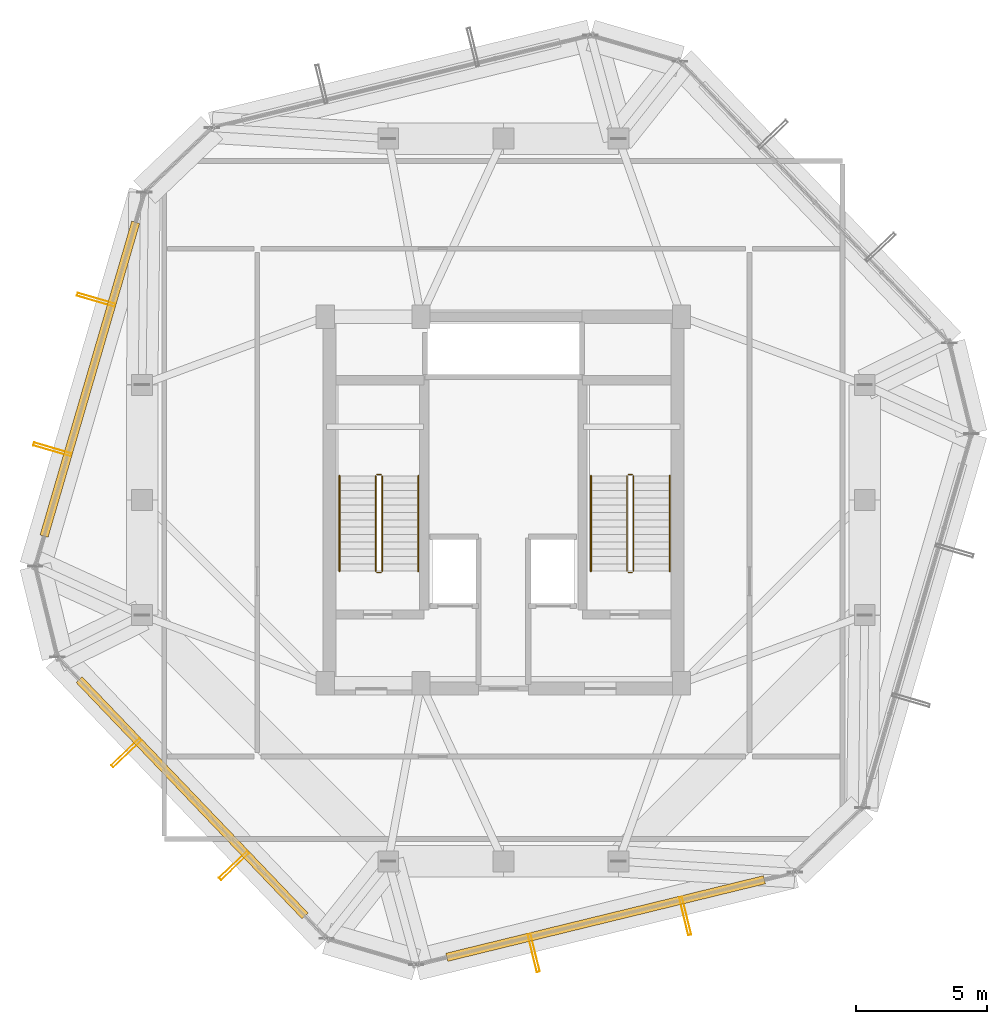
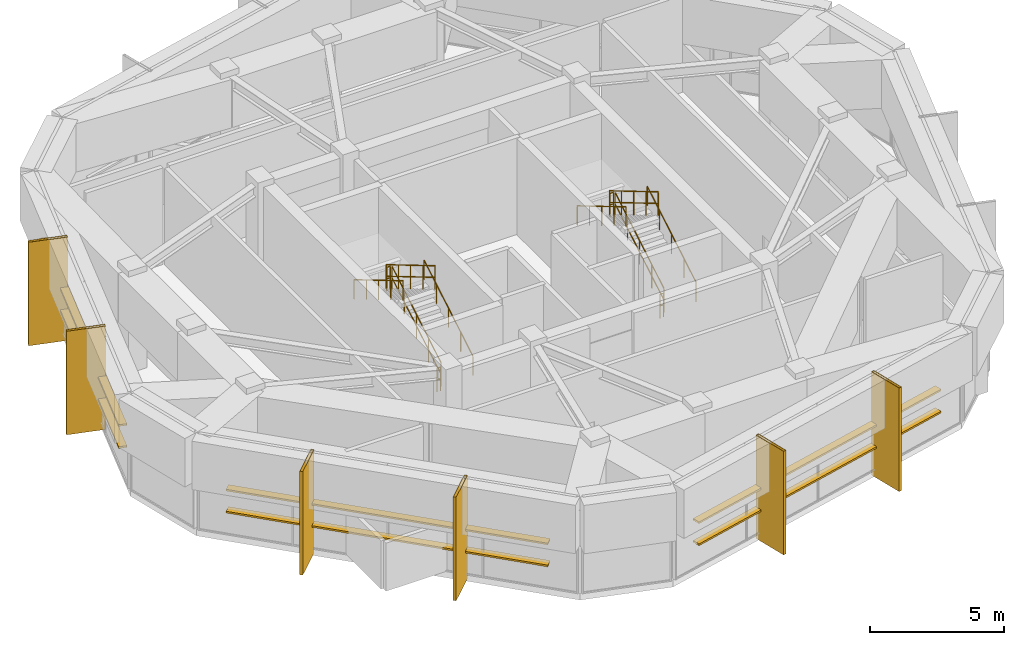
# One storey, part 38 of 39: 12 railings, 12 shading devices.
"""IFC4 building model written with IfcOpenShell, lengths in metres."""

from ifc_helpers import new_model, si_unit, direction, frame, origin, origin_2d, place, context, subcontext, project, spatial, hollow_rectangle, circle, extrude, material, material_profile, profile_set, type_object, element, save


model = new_model("IFC4")

# Units and contexts
model_context = context("Model", 3, precision=1e-05, world=origin(), true_north=direction((0.0, 1.0)))
body_context = subcontext(model_context, "Body", "Model", "MODEL_VIEW")
ifc_project = project(units=[si_unit("LENGTHUNIT", "METRE"), si_unit("AREAUNIT", "SQUARE_METRE"), si_unit("VOLUMEUNIT", "CUBIC_METRE"), si_unit("PLANEANGLEUNIT", "RADIAN"), si_unit("MASSUNIT", "GRAM", prefix="KILO")], contexts=[model_context])

# Site, building, storey
site_placement = place(None, origin())
site = spatial("IfcSite", under=ifc_project, at=site_placement, CompositionType="ELEMENT")
building_placement = place(site_placement, origin())
building = spatial("IfcBuilding", under=site, at=building_placement, Name="Veraguas Prism Commons", CompositionType="ELEMENT")
storey_placement = place(building_placement, frame((0.0, 0.0, 264.25)))
storey = spatial("IfcBuildingStorey", under=building, at=storey_placement, Name="L75", CompositionType="ELEMENT", Elevation=264.25)

# Shading devices
ifc_material_1 = material(Name="Anodised aluminium EN AW-6063 T6", Category="aluminium")
ifc_material_profile_1 = material_profile(ifc_material_1, hollow_rectangle(XDim=0.1201171875, YDim=1.489990234375, WallThickness=0.006103515625, at=origin_2d()), Name="FIN120X1490X6")
ifc_profile_set_1 = profile_set([ifc_material_profile_1], Name="Anodised aluminium EN AW-6063 T6")
shading_device_type_1 = type_object("IfcShadingDeviceType", Name="Deep Pale-Metal Vertical Solar Fin 120x1490", PredefinedType="USERDEFINED", material=ifc_profile_set_1)
for number, where, z_axis, x_axis, name in (
    (1, (8.43994140625, 31.64599609375, -0.300048828125), (0.0, 0.0, 1.0), (-0.280336682616, -0.959901736836, 0.0), "Vertical Pale-Metal Solar Fin L75-F3A"),
    (2, (6.770751953125, 25.93017578125, -0.300048828125), (0.0, 0.0, 1.0), (-0.280336682616, -0.959901736836, 0.0), "Vertical Pale-Metal Solar Fin L75-F3B"),
    (3, (9.598388671875, 14.347412109375, -0.300048828125), (0.0, 0.0, 1.0), (0.691133470727, -0.722727144669, 0.0), "Vertical Pale-Metal Solar Fin L75-F4A"),
    (4, (13.7138671875, 10.0439453125, -0.300048828125), (0.0, 0.0, 1.0), (0.691133470727, -0.722727144669, 0.0), "Vertical Pale-Metal Solar Fin L75-F4B"),
    (5, (25.158447265625, 6.70166015625, -0.300048828125), (0.0, 0.0, 1.0), (0.9714663887, 0.23717726625, 0.0), "Vertical Pale-Metal Solar Fin L75-F5A"),
    (6, (30.943115234375, 8.114013671875, -0.300048828125), (0.0, 0.0, 1.0), (0.9714663887, 0.23717726625, 0.0), "Vertical Pale-Metal Solar Fin L75-F5B"),
):
    element("IfcShadingDevice", number, at=place(storey_placement, frame(where, z_axis=z_axis, x_axis=x_axis)), inside=storey, type_object=shading_device_type_1, Name=name, ObjectType="FIN", PredefinedType="USERDEFINED", context=body_context, shape_type="SweptSolid", body=[
        extrude(hollow_rectangle(XDim=0.1201171875, YDim=1.489990234375, WallThickness=0.006103515625, at=origin_2d()), origin(), (0.0, 0.0, 1.0), 4.7099609375),
    ])
ifc_material_profile_2 = material_profile(ifc_material_1, hollow_rectangle(XDim=0.080078125, YDim=0.320068359375, WallThickness=0.00390625, at=origin_2d()), Name="LVR80X320X4")
ifc_profile_set_2 = profile_set([ifc_material_profile_2], Name="Anodised aluminium EN AW-6063 T6")
shading_device_type_2 = type_object("IfcShadingDeviceType", Name="Plant Room Acoustic Weather Louvre 80x320", PredefinedType="JALOUSIE", material=ifc_profile_set_2)
for number, where, z_axis, x_axis, name in (
    (7, (9.95556640625, 34.605712890625, 1.10009765625), (-0.280340849293, -0.959900519959, 0.0), (0.0, 0.0, 1.0), "Plant Acoustic Weather Louvre L75-F3A"),
    (8, (9.95556640625, 34.605712890625, 2.10009765625), (-0.280340849293, -0.959900519959, 0.0), (0.0, 0.0, 1.0), "Plant Acoustic Weather Louvre L75-F3B"),
):
    element("IfcShadingDevice", number, at=place(storey_placement, frame(where, z_axis=z_axis, x_axis=x_axis)), inside=storey, type_object=shading_device_type_2, Name=name, PredefinedType="JALOUSIE", context=body_context, shape_type="SweptSolid", body=[
        extrude(hollow_rectangle(XDim=0.080078125, YDim=0.320068359375, WallThickness=0.00390625, at=origin_2d()), origin(), (0.0, 0.0, 1.0), 12.486572265625),
    ])
for number, where, z_axis, x_axis, name in (
    (9, (7.793212890625, 17.139892578125, 1.10009765625), (0.691121865751, -0.72273824216, 0.0), (0.0, 0.0, 1.0), "Plant Acoustic Weather Louvre L75-F4A"),
    (10, (7.793212890625, 17.139892578125, 2.10009765625), (0.691121865751, -0.72273824216, 0.0), (0.0, 0.0, 1.0), "Plant Acoustic Weather Louvre L75-F4B"),
    (11, (21.837646484375, 6.5341796875, 1.10009765625), (0.971462013232, 0.237195187234, 0.0), (0.0, 0.0, 1.0), "Plant Acoustic Weather Louvre L75-F5A"),
    (12, (21.837646484375, 6.5341796875, 2.10009765625), (0.971462013232, 0.237195187234, 0.0), (0.0, 0.0, 1.0), "Plant Acoustic Weather Louvre L75-F5B"),
):
    element("IfcShadingDevice", number, at=place(storey_placement, frame(where, z_axis=z_axis, x_axis=x_axis)), inside=storey, type_object=shading_device_type_2, Name=name, PredefinedType="JALOUSIE", context=body_context, shape_type="SweptSolid", body=[
        extrude(hollow_rectangle(XDim=0.080078125, YDim=0.320068359375, WallThickness=0.00390625, at=origin_2d()), origin(), (0.0, 0.0, 1.0), 12.486328125),
    ])

# Railings
ifc_material_2 = material(Name="Stainless steel AISI 316", Category="steel")
railing_type_1 = type_object("IfcRailingType", Name="Stair and Ramp Stainless Handrail 900", PredefinedType="HANDRAIL", material=ifc_material_2)
railing_1_placement = place(storey_placement, frame((20.75, 21.280029296875, 0.166015625)))
element("IfcRailing", 13, at=railing_1_placement, inside=storey, type_object=railing_type_1, Name="Stair Handrail ST-01 L75-1", PredefinedType="HANDRAIL", context=body_context, shape_type="SweptSolid", body=[
    extrude(circle(Radius=0.02392578125, at=origin_2d()), frame((0.0, 0.0, 0.8759765625), z_axis=(0.0, 0.860088118128, 0.510145497928), x_axis=(-1.0, 0.0, 0.0)), (0.0, 0.0, 1.0), 4.23193359375),
    extrude(circle(Radius=0.02099609375, at=origin_2d()), origin(), (0.0, 0.0, 1.0), 0.851806640625),
    extrude(circle(Radius=0.02099609375, at=origin_2d()), frame((0.0, 0.909912109375, 0.539794921875)), (0.0, 0.0, 1.0), 0.851806640625),
    extrude(circle(Radius=0.02099609375, at=origin_2d()), frame((0.0, 1.81982421875, 1.07958984375)), (0.0, 0.0, 1.0), 0.851806640625),
    extrude(circle(Radius=0.02099609375, at=origin_2d()), frame((0.0, 2.72998046875, 1.619140625)), (0.0, 0.0, 1.0), 0.851806640625),
    extrude(circle(Radius=0.02099609375, at=origin_2d()), frame((0.0, 3.639892578125, 2.158935546875)), (0.0, 0.0, 1.0), 0.851806640625),
])
railing_2_placement = place(storey_placement, frame((17.739990234375, 24.919921875, 2.490966796875)))
element("IfcRailing", 14, at=railing_2_placement, inside=storey, type_object=railing_type_1, Name="Stair Handrail ST-01 L75-2", PredefinedType="HANDRAIL", context=body_context, shape_type="SweptSolid", body=[
    extrude(circle(Radius=0.02392578125, at=origin_2d()), frame((0.0, 0.0, 0.8759765625), z_axis=(0.0, -0.860088118128, 0.510145497928), x_axis=(1.0, 0.0, 0.0)), (0.0, 0.0, 1.0), 4.23193359375),
    extrude(circle(Radius=0.02099609375, at=origin_2d()), origin(), (0.0, 0.0, 1.0), 0.851806640625),
    extrude(circle(Radius=0.02099609375, at=origin_2d()), frame((0.0, -0.909912109375, 0.539794921875)), (0.0, 0.0, 1.0), 0.851806640625),
    extrude(circle(Radius=0.02099609375, at=origin_2d()), frame((0.0, -1.81982421875, 1.07958984375)), (0.0, 0.0, 1.0), 0.851806640625),
    extrude(circle(Radius=0.02099609375, at=origin_2d()), frame((0.0, -2.72998046875, 1.619140625)), (0.0, 0.0, 1.0), 0.851806640625),
    extrude(circle(Radius=0.02099609375, at=origin_2d()), frame((0.0, -3.639892578125, 2.158935546875)), (0.0, 0.0, 1.0), 0.851806640625),
])
railing_3_placement = place(storey_placement, frame((30.35009765625, 21.280029296875, 0.166015625)))
element("IfcRailing", 15, at=railing_3_placement, inside=storey, type_object=railing_type_1, Name="Stair Handrail ST-02 L75-1", PredefinedType="HANDRAIL", context=body_context, shape_type="SweptSolid", body=[
    extrude(circle(Radius=0.02392578125, at=origin_2d()), frame((0.0, 0.0, 0.8759765625), z_axis=(0.0, 0.860088118128, 0.510145497928), x_axis=(-1.0, 0.0, 0.0)), (0.0, 0.0, 1.0), 4.23193359375),
    extrude(circle(Radius=0.02099609375, at=origin_2d()), origin(), (0.0, 0.0, 1.0), 0.851806640625),
    extrude(circle(Radius=0.02099609375, at=origin_2d()), frame((0.0, 0.909912109375, 0.539794921875)), (0.0, 0.0, 1.0), 0.851806640625),
    extrude(circle(Radius=0.02099609375, at=origin_2d()), frame((0.0, 1.81982421875, 1.07958984375)), (0.0, 0.0, 1.0), 0.851806640625),
    extrude(circle(Radius=0.02099609375, at=origin_2d()), frame((0.0, 2.72998046875, 1.619140625)), (0.0, 0.0, 1.0), 0.851806640625),
    extrude(circle(Radius=0.02099609375, at=origin_2d()), frame((0.0, 3.639892578125, 2.158935546875)), (0.0, 0.0, 1.0), 0.851806640625),
])
railing_4_placement = place(storey_placement, frame((27.340087890625, 24.919921875, 2.490966796875)))
element("IfcRailing", 16, at=railing_4_placement, inside=storey, type_object=railing_type_1, Name="Stair Handrail ST-02 L75-2", PredefinedType="HANDRAIL", context=body_context, shape_type="SweptSolid", body=[
    extrude(circle(Radius=0.02392578125, at=origin_2d()), frame((0.0, 0.0, 0.8759765625), z_axis=(0.0, -0.860088118128, 0.510145497928), x_axis=(1.0, 0.0, 0.0)), (0.0, 0.0, 1.0), 4.23193359375),
    extrude(circle(Radius=0.02099609375, at=origin_2d()), origin(), (0.0, 0.0, 1.0), 0.851806640625),
    extrude(circle(Radius=0.02099609375, at=origin_2d()), frame((0.0, -0.909912109375, 0.539794921875)), (0.0, 0.0, 1.0), 0.851806640625),
    extrude(circle(Radius=0.02099609375, at=origin_2d()), frame((0.0, -1.81982421875, 1.07958984375)), (0.0, 0.0, 1.0), 0.851806640625),
    extrude(circle(Radius=0.02099609375, at=origin_2d()), frame((0.0, -2.72998046875, 1.619140625)), (0.0, 0.0, 1.0), 0.851806640625),
    extrude(circle(Radius=0.02099609375, at=origin_2d()), frame((0.0, -3.639892578125, 2.158935546875)), (0.0, 0.0, 1.0), 0.851806640625),
])
railing_type_2 = type_object("IfcRailingType", Name="Stairwell Safety Guardrail 1100", PredefinedType="GUARDRAIL", material=ifc_material_2)
railing_5_placement = place(storey_placement, frame((19.3701171875, 21.280029296875, 0.166015625)))
element("IfcRailing", 17, at=railing_5_placement, inside=storey, type_object=railing_type_2, Name="Stair Guard ST-01 L75-1", PredefinedType="GUARDRAIL", context=body_context, shape_type="SweptSolid", body=[
    extrude(circle(Radius=0.02392578125, at=origin_2d()), frame((0.0, 0.0, 1.076171875), z_axis=(0.0, 0.860088118128, 0.510145497928), x_axis=(-1.0, 0.0, 0.0)), (0.0, 0.0, 1.0), 4.23193359375),
    extrude(circle(Radius=0.02392578125, at=origin_2d()), frame((0.0, 0.0, 0.550048828125), z_axis=(0.0, 0.860088118128, 0.510145497928), x_axis=(-1.0, 0.0, 0.0)), (0.0, 0.0, 1.0), 4.23193359375),
    extrude(circle(Radius=0.02099609375, at=origin_2d()), origin(), (0.0, 0.0, 1.0), 1.052001953125),
    extrude(circle(Radius=0.02099609375, at=origin_2d()), frame((0.0, 0.909912109375, 0.539794921875)), (0.0, 0.0, 1.0), 1.052001953125),
    extrude(circle(Radius=0.02099609375, at=origin_2d()), frame((0.0, 1.81982421875, 1.07958984375)), (0.0, 0.0, 1.0), 1.052001953125),
    extrude(circle(Radius=0.02099609375, at=origin_2d()), frame((0.0, 2.72998046875, 1.619140625)), (0.0, 0.0, 1.0), 1.052001953125),
    extrude(circle(Radius=0.02099609375, at=origin_2d()), frame((0.0, 3.639892578125, 2.158935546875)), (0.0, 0.0, 1.0), 1.052001953125),
])
railing_6_placement = place(storey_placement, frame((19.320068359375, 24.969970703125, 2.324951171875)))
element("IfcRailing", 18, at=railing_6_placement, inside=storey, type_object=railing_type_2, Name="Stair Guard ST-01 L75-2", PredefinedType="GUARDRAIL", context=body_context, shape_type="SweptSolid", body=[
    extrude(circle(Radius=0.02392578125, at=origin_2d()), frame((0.0, 0.0, 1.076171875), z_axis=(-1.0, 0.0, 0.0), x_axis=(0.0, -1.0, 0.0)), (0.0, 0.0, 1.0), 0.150146484375),
    extrude(circle(Radius=0.02392578125, at=origin_2d()), frame((0.0, 0.0, 0.550048828125), z_axis=(-1.0, 0.0, 0.0), x_axis=(0.0, -1.0, 0.0)), (0.0, 0.0, 1.0), 0.150146484375),
    extrude(circle(Radius=0.02099609375, at=origin_2d()), origin(), (0.0, 0.0, 1.0), 1.052001953125),
    extrude(circle(Radius=0.02099609375, at=origin_2d()), frame((-0.150146484375, 0.0, 0.0)), (0.0, 0.0, 1.0), 1.052001953125),
])
railing_7_placement = place(storey_placement, frame((19.1201171875, 24.919921875, 2.490966796875)))
element("IfcRailing", 19, at=railing_7_placement, inside=storey, type_object=railing_type_2, Name="Stair Guard ST-01 L75-3", PredefinedType="GUARDRAIL", context=body_context, shape_type="SweptSolid", body=[
    extrude(circle(Radius=0.02392578125, at=origin_2d()), frame((0.0, 0.0, 1.076171875), z_axis=(0.0, -0.860088118128, 0.510145497928), x_axis=(1.0, 0.0, 0.0)), (0.0, 0.0, 1.0), 4.23193359375),
    extrude(circle(Radius=0.02392578125, at=origin_2d()), frame((0.0, 0.0, 0.550048828125), z_axis=(0.0, -0.860088118128, 0.510145497928), x_axis=(1.0, 0.0, 0.0)), (0.0, 0.0, 1.0), 4.23193359375),
    extrude(circle(Radius=0.02099609375, at=origin_2d()), origin(), (0.0, 0.0, 1.0), 1.052001953125),
    extrude(circle(Radius=0.02099609375, at=origin_2d()), frame((0.0, -0.909912109375, 0.539794921875)), (0.0, 0.0, 1.0), 1.052001953125),
    extrude(circle(Radius=0.02099609375, at=origin_2d()), frame((0.0, -1.81982421875, 1.07958984375)), (0.0, 0.0, 1.0), 1.052001953125),
    extrude(circle(Radius=0.02099609375, at=origin_2d()), frame((0.0, -2.72998046875, 1.619140625)), (0.0, 0.0, 1.0), 1.052001953125),
    extrude(circle(Radius=0.02099609375, at=origin_2d()), frame((0.0, -3.639892578125, 2.158935546875)), (0.0, 0.0, 1.0), 1.052001953125),
])
railing_8_placement = place(storey_placement, frame((19.320068359375, 21.22998046875, 0.0)))
element("IfcRailing", 20, at=railing_8_placement, inside=storey, type_object=railing_type_2, Name="Stair Guard ST-01 L75-4", PredefinedType="GUARDRAIL", context=body_context, shape_type="SweptSolid", body=[
    extrude(circle(Radius=0.02392578125, at=origin_2d()), frame((0.0, 0.0, 1.076171875), z_axis=(-1.0, 0.0, 0.0), x_axis=(0.0, -1.0, 0.0)), (0.0, 0.0, 1.0), 0.150146484375),
    extrude(circle(Radius=0.02392578125, at=origin_2d()), frame((0.0, 0.0, 0.550048828125), z_axis=(-1.0, 0.0, 0.0), x_axis=(0.0, -1.0, 0.0)), (0.0, 0.0, 1.0), 0.150146484375),
    extrude(circle(Radius=0.02099609375, at=origin_2d()), origin(), (0.0, 0.0, 1.0), 1.052001953125),
    extrude(circle(Radius=0.02099609375, at=origin_2d()), frame((-0.150146484375, 0.0, 0.0)), (0.0, 0.0, 1.0), 1.052001953125),
])
railing_9_placement = place(storey_placement, frame((28.969970703125, 21.280029296875, 0.166015625)))
element("IfcRailing", 21, at=railing_9_placement, inside=storey, type_object=railing_type_2, Name="Stair Guard ST-02 L75-1", PredefinedType="GUARDRAIL", context=body_context, shape_type="SweptSolid", body=[
    extrude(circle(Radius=0.02392578125, at=origin_2d()), frame((0.0, 0.0, 1.076171875), z_axis=(0.0, 0.860088118128, 0.510145497928), x_axis=(-1.0, 0.0, 0.0)), (0.0, 0.0, 1.0), 4.23193359375),
    extrude(circle(Radius=0.02392578125, at=origin_2d()), frame((0.0, 0.0, 0.550048828125), z_axis=(0.0, 0.860088118128, 0.510145497928), x_axis=(-1.0, 0.0, 0.0)), (0.0, 0.0, 1.0), 4.23193359375),
    extrude(circle(Radius=0.02099609375, at=origin_2d()), origin(), (0.0, 0.0, 1.0), 1.052001953125),
    extrude(circle(Radius=0.02099609375, at=origin_2d()), frame((0.0, 0.909912109375, 0.539794921875)), (0.0, 0.0, 1.0), 1.052001953125),
    extrude(circle(Radius=0.02099609375, at=origin_2d()), frame((0.0, 1.81982421875, 1.07958984375)), (0.0, 0.0, 1.0), 1.052001953125),
    extrude(circle(Radius=0.02099609375, at=origin_2d()), frame((0.0, 2.72998046875, 1.619140625)), (0.0, 0.0, 1.0), 1.052001953125),
    extrude(circle(Radius=0.02099609375, at=origin_2d()), frame((0.0, 3.639892578125, 2.158935546875)), (0.0, 0.0, 1.0), 1.052001953125),
])
railing_10_placement = place(storey_placement, frame((28.919921875, 24.969970703125, 2.324951171875)))
element("IfcRailing", 22, at=railing_10_placement, inside=storey, type_object=railing_type_2, Name="Stair Guard ST-02 L75-2", PredefinedType="GUARDRAIL", context=body_context, shape_type="SweptSolid", body=[
    extrude(circle(Radius=0.02392578125, at=origin_2d()), frame((0.0, 0.0, 1.076171875), z_axis=(-1.0, 0.0, 0.0), x_axis=(0.0, -1.0, 0.0)), (0.0, 0.0, 1.0), 0.14990234375),
    extrude(circle(Radius=0.02392578125, at=origin_2d()), frame((0.0, 0.0, 0.550048828125), z_axis=(-1.0, 0.0, 0.0), x_axis=(0.0, -1.0, 0.0)), (0.0, 0.0, 1.0), 0.14990234375),
    extrude(circle(Radius=0.02099609375, at=origin_2d()), origin(), (0.0, 0.0, 1.0), 1.052001953125),
    extrude(circle(Radius=0.02099609375, at=origin_2d()), frame((-0.14990234375, 0.0, 0.0)), (0.0, 0.0, 1.0), 1.052001953125),
])
railing_11_placement = place(storey_placement, frame((28.719970703125, 24.919921875, 2.490966796875)))
element("IfcRailing", 23, at=railing_11_placement, inside=storey, type_object=railing_type_2, Name="Stair Guard ST-02 L75-3", PredefinedType="GUARDRAIL", context=body_context, shape_type="SweptSolid", body=[
    extrude(circle(Radius=0.02392578125, at=origin_2d()), frame((0.0, 0.0, 1.076171875), z_axis=(0.0, -0.860088118128, 0.510145497928), x_axis=(1.0, 0.0, 0.0)), (0.0, 0.0, 1.0), 4.23193359375),
    extrude(circle(Radius=0.02392578125, at=origin_2d()), frame((0.0, 0.0, 0.550048828125), z_axis=(0.0, -0.860088118128, 0.510145497928), x_axis=(1.0, 0.0, 0.0)), (0.0, 0.0, 1.0), 4.23193359375),
    extrude(circle(Radius=0.02099609375, at=origin_2d()), origin(), (0.0, 0.0, 1.0), 1.052001953125),
    extrude(circle(Radius=0.02099609375, at=origin_2d()), frame((0.0, -0.909912109375, 0.539794921875)), (0.0, 0.0, 1.0), 1.052001953125),
    extrude(circle(Radius=0.02099609375, at=origin_2d()), frame((0.0, -1.81982421875, 1.07958984375)), (0.0, 0.0, 1.0), 1.052001953125),
    extrude(circle(Radius=0.02099609375, at=origin_2d()), frame((0.0, -2.72998046875, 1.619140625)), (0.0, 0.0, 1.0), 1.052001953125),
    extrude(circle(Radius=0.02099609375, at=origin_2d()), frame((0.0, -3.639892578125, 2.158935546875)), (0.0, 0.0, 1.0), 1.052001953125),
])
railing_12_placement = place(storey_placement, frame((28.919921875, 21.22998046875, 0.0)))
element("IfcRailing", 24, at=railing_12_placement, inside=storey, type_object=railing_type_2, Name="Stair Guard ST-02 L75-4", PredefinedType="GUARDRAIL", context=body_context, shape_type="SweptSolid", body=[
    extrude(circle(Radius=0.02392578125, at=origin_2d()), frame((0.0, 0.0, 1.076171875), z_axis=(-1.0, 0.0, 0.0), x_axis=(0.0, -1.0, 0.0)), (0.0, 0.0, 1.0), 0.14990234375),
    extrude(circle(Radius=0.02392578125, at=origin_2d()), frame((0.0, 0.0, 0.550048828125), z_axis=(-1.0, 0.0, 0.0), x_axis=(0.0, -1.0, 0.0)), (0.0, 0.0, 1.0), 0.14990234375),
    extrude(circle(Radius=0.02099609375, at=origin_2d()), origin(), (0.0, 0.0, 1.0), 1.052001953125),
    extrude(circle(Radius=0.02099609375, at=origin_2d()), frame((-0.14990234375, 0.0, 0.0)), (0.0, 0.0, 1.0), 1.052001953125),
])

save(model, "model.ifc")
